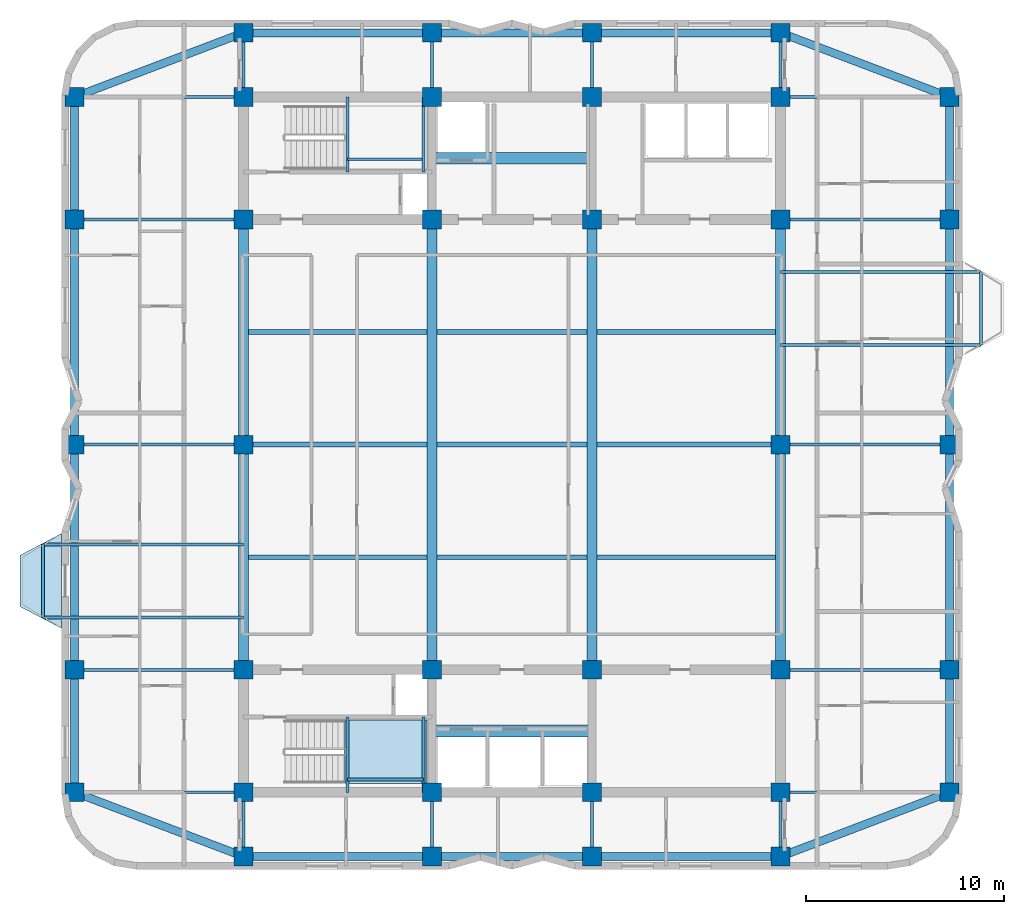
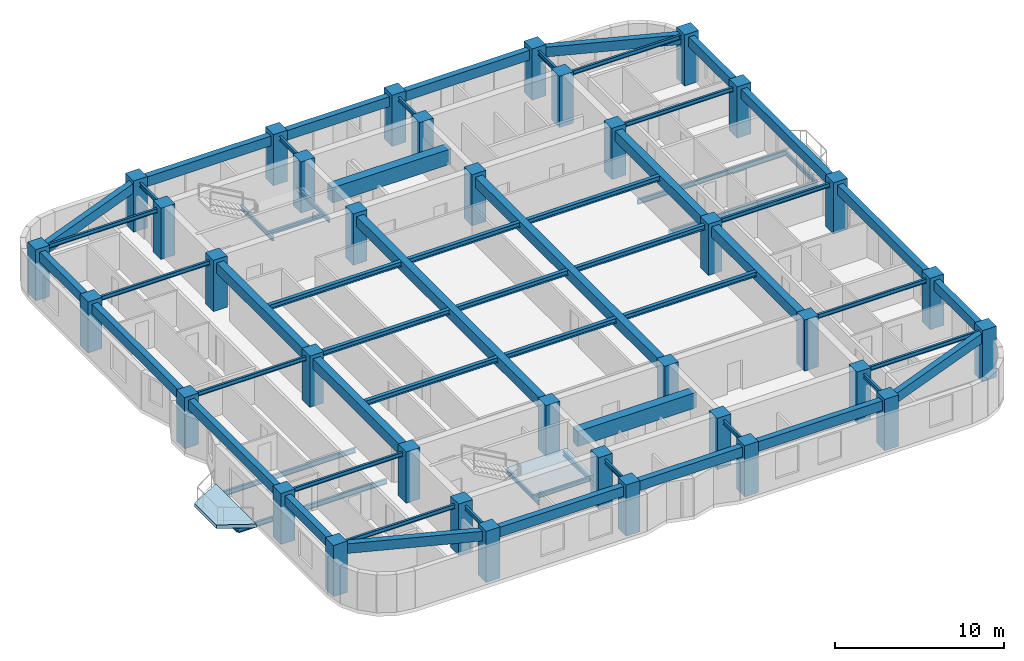
# One storey, part 1 of 9: 65 beams, 36 columns, 2 slabs, 1 element without a shape of its own.
"""IFC4 building model written with IfcOpenShell, lengths in metres."""

from ifc_helpers import new_model, si_unit, direction, frame, origin, origin_2d, place, context, subcontext, project, spatial, polyline, rectangle, i_section, outline, extrude, material, layer, layer_set, material_profile, profile_set, type_object, element, aggregate, save


model = new_model("IFC4")

# Units and contexts
model_context = context("Model", 3, precision=1e-05, world=origin(), true_north=direction((0.0, 1.0)))
body_context = subcontext(model_context, "Body", "Model", "MODEL_VIEW")
ifc_project = project(units=[si_unit("LENGTHUNIT", "METRE"), si_unit("AREAUNIT", "SQUARE_METRE"), si_unit("VOLUMEUNIT", "CUBIC_METRE"), si_unit("PLANEANGLEUNIT", "RADIAN"), si_unit("MASSUNIT", "GRAM", prefix="KILO")], contexts=[model_context])

# Site, building, storey
site_placement = place(None, origin())
site = spatial("IfcSite", under=ifc_project, at=site_placement, CompositionType="ELEMENT")
building_placement = place(site_placement, origin())
building = spatial("IfcBuilding", under=site, at=building_placement, Name="Svetorya Sky Lyceum", CompositionType="ELEMENT")
storey_placement = place(building_placement, frame((0.0, 0.0, 184.800048828125)))
storey = spatial("IfcBuildingStorey", under=building, at=storey_placement, Name="L46", CompositionType="ELEMENT", Elevation=184.800048828125)

# Columns
ifc_material_1 = material(Name="Concrete C50/60", Category="concrete")
ifc_material_profile_1 = material_profile(ifc_material_1, rectangle(XDim=0.949951171875, YDim=0.949951171875, at=origin_2d()), Name="RC COL 950x950")
ifc_profile_set_1 = profile_set([ifc_material_profile_1], Name="Concrete C50/60")
column_type = type_object("IfcColumnType", Name="COL-RC-950", PredefinedType="COLUMN", material=ifc_profile_set_1)
for number, where, z_axis, x_axis, name in (
    (1, (25.60009765625, 10.60009765625, 0.0), (0.0, 0.0, 1.0), (1.0, 0.0, 0.0), "L46 Core Column CS-11"),
    (2, (25.60009765625, 16.800048828125, 0.0), (0.0, 0.0, 1.0), (1.0, 0.0, 0.0), "L46 Core Column CS-12"),
    (3, (35.14990234375, 10.60009765625, 0.0), (0.0, 0.0, 1.0), (1.0, 0.0, 0.0), "L46 Core Column CS-21"),
    (4, (35.14990234375, 16.800048828125, 0.0), (0.0, 0.0, 1.0), (1.0, 0.0, 0.0), "L46 Core Column CS-22"),
    (5, (43.25, 10.60009765625, 0.0), (0.0, 0.0, 1.0), (1.0, 0.0, 0.0), "L46 Core Column CS-31"),
    (6, (43.25, 16.800048828125, 0.0), (0.0, 0.0, 1.0), (1.0, 0.0, 0.0), "L46 Core Column CS-32"),
    (7, (52.800048828125, 10.60009765625, 0.0), (0.0, 0.0, 1.0), (1.0, 0.0, 0.0), "L46 Core Column CS-41"),
    (8, (52.800048828125, 16.800048828125, 0.0), (0.0, 0.0, 1.0), (1.0, 0.0, 0.0), "L46 Core Column CS-42"),
    (9, (25.60009765625, 39.60009765625, 0.0), (0.0, 0.0, 1.0), (1.0, 0.0, 0.0), "L46 Core Column CN-11"),
    (10, (25.60009765625, 45.800048828125, 0.0), (0.0, 0.0, 1.0), (1.0, 0.0, 0.0), "L46 Core Column CN-12"),
    (11, (35.14990234375, 39.60009765625, 0.0), (0.0, 0.0, 1.0), (1.0, 0.0, 0.0), "L46 Core Column CN-21"),
    (12, (35.14990234375, 45.800048828125, 0.0), (0.0, 0.0, 1.0), (1.0, 0.0, 0.0), "L46 Core Column CN-22"),
    (13, (43.25, 39.60009765625, 0.0), (0.0, 0.0, 1.0), (1.0, 0.0, 0.0), "L46 Core Column CN-31"),
    (14, (43.25, 45.800048828125, 0.0), (0.0, 0.0, 1.0), (1.0, 0.0, 0.0), "L46 Core Column CN-32"),
    (15, (52.800048828125, 39.60009765625, 0.0), (0.0, 0.0, 1.0), (1.0, 0.0, 0.0), "L46 Core Column CN-41"),
    (16, (52.800048828125, 45.800048828125, 0.0), (0.0, 0.0, 1.0), (1.0, 0.0, 0.0), "L46 Core Column CN-42"),
    (17, (25.60009765625, 28.199951171875, 0.0), (0.0, 0.0, 1.0), (1.0, 0.0, 0.0), "L46 Core Column CM-W"),
    (18, (52.800048828125, 28.199951171875, 0.0), (0.0, 0.0, 1.0), (1.0, 0.0, 0.0), "L46 Core Column CM-E"),
    (19, (25.60009765625, 7.35009765625, 0.0), (0.0, 0.0, 1.0), (1.0, 0.0, 0.0), "L46 Perimeter Column S1"),
    (20, (25.60009765625, 49.050048828125, 0.0), (0.0, 0.0, 1.0), (1.0, 0.0, 0.0), "L46 Perimeter Column N1"),
    (21, (35.14990234375, 7.35009765625, 0.0), (0.0, 0.0, 1.0), (1.0, 0.0, 0.0), "L46 Perimeter Column S2"),
    (22, (35.14990234375, 49.050048828125, 0.0), (0.0, 0.0, 1.0), (1.0, 0.0, 0.0), "L46 Perimeter Column N2"),
    (23, (43.25, 7.35009765625, 0.0), (0.0, 0.0, 1.0), (1.0, 0.0, 0.0), "L46 Perimeter Column S3"),
    (24, (43.25, 49.050048828125, 0.0), (0.0, 0.0, 1.0), (1.0, 0.0, 0.0), "L46 Perimeter Column N3"),
    (25, (52.800048828125, 7.35009765625, 0.0), (0.0, 0.0, 1.0), (1.0, 0.0, 0.0), "L46 Perimeter Column S4"),
    (26, (52.800048828125, 49.050048828125, 0.0), (0.0, 0.0, 1.0), (1.0, 0.0, 0.0), "L46 Perimeter Column N4"),
    (27, (17.050048828125, 10.60009765625, 0.0), (0.0, 0.0, 1.0), (1.0, 0.0, 0.0), "L46 Perimeter Column W1"),
    (28, (61.35009765625, 10.60009765625, 0.0), (0.0, 0.0, 1.0), (1.0, 0.0, 0.0), "L46 Perimeter Column E1"),
    (29, (17.050048828125, 16.800048828125, 0.0), (0.0, 0.0, 1.0), (1.0, 0.0, 0.0), "L46 Perimeter Column W2"),
    (30, (61.35009765625, 16.800048828125, 0.0), (0.0, 0.0, 1.0), (1.0, 0.0, 0.0), "L46 Perimeter Column E2"),
    (31, (17.050048828125, 28.199951171875, 0.0), (0.0, 0.0, 1.0), (1.0, 0.0, 0.0), "L46 Perimeter Column W3"),
    (32, (61.35009765625, 28.199951171875, 0.0), (0.0, 0.0, 1.0), (1.0, 0.0, 0.0), "L46 Perimeter Column E3"),
    (33, (17.050048828125, 39.60009765625, 0.0), (0.0, 0.0, 1.0), (1.0, 0.0, 0.0), "L46 Perimeter Column W4"),
    (34, (61.35009765625, 39.60009765625, 0.0), (0.0, 0.0, 1.0), (1.0, 0.0, 0.0), "L46 Perimeter Column E4"),
    (35, (17.050048828125, 45.800048828125, 0.0), (0.0, 0.0, 1.0), (1.0, 0.0, 0.0), "L46 Perimeter Column W5"),
    (36, (61.35009765625, 45.800048828125, 0.0), (0.0, 0.0, 1.0), (1.0, 0.0, 0.0), "L46 Perimeter Column E5"),
):
    element("IfcColumn", number, at=place(storey_placement, frame(where, z_axis=z_axis, x_axis=x_axis)), inside=storey, type_object=column_type, Name=name, PredefinedType="COLUMN", context=body_context, shape_type="SweptSolid", body=[
        extrude(rectangle(XDim=0.949951171875, YDim=0.949951171875, at=origin_2d()), origin(), (0.0, 0.0, 1.0), 3.699951171875),
    ])

# Beams
ifc_material_2 = material(Name="Concrete C60/75", Category="concrete")
ifc_material_profile_2 = material_profile(ifc_material_2, rectangle(XDim=0.60009765625, YDim=1.10009765625, at=origin_2d()), Name="RC COUPLING 600x1100")
ifc_profile_set_2 = profile_set([ifc_material_profile_2], Name="Concrete C60/75")
beam_type_1 = type_object("IfcBeamType", Name="BM-CPL-1100", PredefinedType="LINTEL", material=ifc_profile_set_2)
for number, where, z_axis, x_axis, name in (
    (37, (35.14990234375, 13.699951171875, 2.889892578125), (1.0, 0.0, 0.0), (0.0, 1.0, 0.0), "L46 SC Core Coupling Beam"),
    (38, (35.14990234375, 42.699951171875, 2.889892578125), (1.0, 0.0, 0.0), (0.0, 1.0, 0.0), "L46 NC Core Coupling Beam"),
):
    element("IfcBeam", number, at=place(storey_placement, frame(where, z_axis=z_axis, x_axis=x_axis)), inside=storey, type_object=beam_type_1, Name=name, PredefinedType="LINTEL", context=body_context, shape_type="SweptSolid", body=[
        extrude(rectangle(XDim=0.60009765625, YDim=1.10009765625, at=origin_2d()), origin(), (0.0, 0.0, 1.0), 8.10009765625),
    ])
ifc_material_profile_3 = material_profile(ifc_material_1, rectangle(XDim=0.5, YDim=0.75, at=origin_2d()), Name="RC BEAM 500x750")
ifc_profile_set_3 = profile_set([ifc_material_profile_3], Name="Concrete C50/60")
beam_type_2 = type_object("IfcBeamType", Name="BM-RC-750", PredefinedType="BEAM", material=ifc_profile_set_3)
beam_1_placement = place(storey_placement, frame((25.60009765625, 16.800048828125, 3.06494140625), z_axis=(0.0, 1.0, 0.0), x_axis=(-1.0, 0.0, 0.0)))
element("IfcBeam", 39, at=beam_1_placement, inside=storey, type_object=beam_type_2, Name="L46 Central Bay Primary Girder CG-1A", PredefinedType="BEAM", context=body_context, shape_type="SweptSolid", body=[
    extrude(rectangle(XDim=0.5, YDim=0.75, at=origin_2d()), origin(), (0.0, 0.0, 1.0), 11.39990234375),
])
beam_2_placement = place(storey_placement, frame((25.60009765625, 28.199951171875, 3.06494140625), z_axis=(0.0, 1.0, 0.0), x_axis=(-1.0, 0.0, 0.0)))
element("IfcBeam", 40, at=beam_2_placement, inside=storey, type_object=beam_type_2, Name="L46 Central Bay Primary Girder CG-1B", PredefinedType="BEAM", context=body_context, shape_type="SweptSolid", body=[
    extrude(rectangle(XDim=0.5, YDim=0.75, at=origin_2d()), origin(), (0.0, 0.0, 1.0), 11.400146484375),
])
for number, where, z_axis, x_axis, name in (
    (41, (35.14990234375, 16.800048828125, 3.06494140625), (0.0, 1.0, 0.0), (-1.0, 0.0, 0.0), "L46 Central Bay Primary Girder CG-2"),
    (42, (43.25, 16.800048828125, 3.06494140625), (0.0, 1.0, 0.0), (-1.0, 0.0, 0.0), "L46 Central Bay Primary Girder CG-3"),
):
    element("IfcBeam", number, at=place(storey_placement, frame(where, z_axis=z_axis, x_axis=x_axis)), inside=storey, type_object=beam_type_2, Name=name, PredefinedType="BEAM", context=body_context, shape_type="SweptSolid", body=[
        extrude(rectangle(XDim=0.5, YDim=0.75, at=origin_2d()), origin(), (0.0, 0.0, 1.0), 22.800048828125),
    ])
beam_3_placement = place(storey_placement, frame((52.800048828125, 16.800048828125, 3.06494140625), z_axis=(0.0, 1.0, 0.0), x_axis=(-1.0, 0.0, 0.0)))
element("IfcBeam", 43, at=beam_3_placement, inside=storey, type_object=beam_type_2, Name="L46 Central Bay Primary Girder CG-4A", PredefinedType="BEAM", context=body_context, shape_type="SweptSolid", body=[
    extrude(rectangle(XDim=0.5, YDim=0.75, at=origin_2d()), origin(), (0.0, 0.0, 1.0), 11.39990234375),
])
beam_4_placement = place(storey_placement, frame((52.800048828125, 28.199951171875, 3.06494140625), z_axis=(0.0, 1.0, 0.0), x_axis=(-1.0, 0.0, 0.0)))
element("IfcBeam", 44, at=beam_4_placement, inside=storey, type_object=beam_type_2, Name="L46 Central Bay Primary Girder CG-4B", PredefinedType="BEAM", context=body_context, shape_type="SweptSolid", body=[
    extrude(rectangle(XDim=0.5, YDim=0.75, at=origin_2d()), origin(), (0.0, 0.0, 1.0), 11.400146484375),
])
ifc_material_profile_4 = material_profile(ifc_material_1, rectangle(XDim=0.39990234375, YDim=0.699951171875, at=origin_2d()), Name="RC SPANDREL 400x700")
ifc_profile_set_4 = profile_set([ifc_material_profile_4], Name="Concrete C50/60")
beam_type_3 = type_object("IfcBeamType", Name="BM-SPN-700", PredefinedType="SPANDREL", material=ifc_profile_set_4)
beam_5_placement = place(storey_placement, frame((25.60009765625, 7.35009765625, 3.08984375), z_axis=(1.0, 0.0, 0.0), x_axis=(0.0, 1.0, 0.0)))
element("IfcBeam", 45, at=beam_5_placement, inside=storey, type_object=beam_type_3, Name="L46 South Spandrel 1", PredefinedType="SPANDREL", context=body_context, shape_type="SweptSolid", body=[
    extrude(rectangle(XDim=0.39990234375, YDim=0.699951171875, at=origin_2d()), origin(), (0.0, 0.0, 1.0), 9.5498046875),
])
beam_6_placement = place(storey_placement, frame((35.14990234375, 7.35009765625, 3.08984375), z_axis=(1.0, 0.0, 0.0), x_axis=(0.0, 1.0, 0.0)))
element("IfcBeam", 46, at=beam_6_placement, inside=storey, type_object=beam_type_3, Name="L46 South Spandrel 2", PredefinedType="SPANDREL", context=body_context, shape_type="SweptSolid", body=[
    extrude(rectangle(XDim=0.39990234375, YDim=0.699951171875, at=origin_2d()), origin(), (0.0, 0.0, 1.0), 8.10009765625),
])
beam_7_placement = place(storey_placement, frame((43.25, 7.35009765625, 3.08984375), z_axis=(1.0, 0.0, 0.0), x_axis=(0.0, 1.0, 0.0)))
element("IfcBeam", 47, at=beam_7_placement, inside=storey, type_object=beam_type_3, Name="L46 South Spandrel 3", PredefinedType="SPANDREL", context=body_context, shape_type="SweptSolid", body=[
    extrude(rectangle(XDim=0.39990234375, YDim=0.699951171875, at=origin_2d()), origin(), (0.0, 0.0, 1.0), 9.550048828125),
])
beam_8_placement = place(storey_placement, frame((25.60009765625, 49.050048828125, 3.08984375), z_axis=(1.0, 0.0, 0.0), x_axis=(0.0, 1.0, 0.0)))
element("IfcBeam", 48, at=beam_8_placement, inside=storey, type_object=beam_type_3, Name="L46 North Spandrel 1", PredefinedType="SPANDREL", context=body_context, shape_type="SweptSolid", body=[
    extrude(rectangle(XDim=0.39990234375, YDim=0.699951171875, at=origin_2d()), origin(), (0.0, 0.0, 1.0), 9.5498046875),
])
beam_9_placement = place(storey_placement, frame((35.14990234375, 49.050048828125, 3.08984375), z_axis=(1.0, 0.0, 0.0), x_axis=(0.0, 1.0, 0.0)))
element("IfcBeam", 49, at=beam_9_placement, inside=storey, type_object=beam_type_3, Name="L46 North Spandrel 2", PredefinedType="SPANDREL", context=body_context, shape_type="SweptSolid", body=[
    extrude(rectangle(XDim=0.39990234375, YDim=0.699951171875, at=origin_2d()), origin(), (0.0, 0.0, 1.0), 8.10009765625),
])
beam_10_placement = place(storey_placement, frame((43.25, 49.050048828125, 3.08984375), z_axis=(1.0, 0.0, 0.0), x_axis=(0.0, 1.0, 0.0)))
element("IfcBeam", 50, at=beam_10_placement, inside=storey, type_object=beam_type_3, Name="L46 North Spandrel 3", PredefinedType="SPANDREL", context=body_context, shape_type="SweptSolid", body=[
    extrude(rectangle(XDim=0.39990234375, YDim=0.699951171875, at=origin_2d()), origin(), (0.0, 0.0, 1.0), 9.550048828125),
])
for number, where, z_axis, x_axis, name in (
    (51, (25.60009765625, 7.35009765625, 3.08984375), (-0.934747947367, 0.355311518099, 0.0), (-0.355311518099, -0.934747947367, 0.0), "L46 Corner Spandrel 1"),
    (52, (52.800048828125, 7.35009765625, 3.08984375), (0.934747947367, 0.355311518099, 0.0), (-0.355311518099, 0.934747947367, 0.0), "L46 Corner Spandrel 2"),
    (53, (61.35009765625, 45.800048828125, 3.08984375), (-0.934747947367, 0.355311518099, 0.0), (-0.355311518099, -0.934747947367, 0.0), "L46 Corner Spandrel 3"),
    (54, (17.050048828125, 45.800048828125, 3.08984375), (0.934747947367, 0.355311518099, 0.0), (-0.355311518099, 0.934747947367, 0.0), "L46 Corner Spandrel 4"),
):
    element("IfcBeam", number, at=place(storey_placement, frame(where, z_axis=z_axis, x_axis=x_axis)), inside=storey, type_object=beam_type_3, Name=name, PredefinedType="SPANDREL", context=body_context, shape_type="SweptSolid", body=[
        extrude(rectangle(XDim=0.39990234375, YDim=0.699951171875, at=origin_2d()), origin(), (0.0, 0.0, 1.0), 9.14697265625),
    ])
beam_11_placement = place(storey_placement, frame((17.050048828125, 10.60009765625, 3.08984375), z_axis=(0.0, 1.0, 0.0), x_axis=(-1.0, 0.0, 0.0)))
element("IfcBeam", 55, at=beam_11_placement, inside=storey, type_object=beam_type_3, Name="L46 West Spandrel 1", PredefinedType="SPANDREL", context=body_context, shape_type="SweptSolid", body=[
    extrude(rectangle(XDim=0.39990234375, YDim=0.699951171875, at=origin_2d()), origin(), (0.0, 0.0, 1.0), 6.199951171875),
])
beam_12_placement = place(storey_placement, frame((17.050048828125, 16.800048828125, 3.08984375), z_axis=(0.0, 1.0, 0.0), x_axis=(-1.0, 0.0, 0.0)))
element("IfcBeam", 56, at=beam_12_placement, inside=storey, type_object=beam_type_3, Name="L46 West Spandrel 2", PredefinedType="SPANDREL", context=body_context, shape_type="SweptSolid", body=[
    extrude(rectangle(XDim=0.39990234375, YDim=0.699951171875, at=origin_2d()), origin(), (0.0, 0.0, 1.0), 11.39990234375),
])
beam_13_placement = place(storey_placement, frame((17.050048828125, 28.199951171875, 3.08984375), z_axis=(0.0, 1.0, 0.0), x_axis=(-1.0, 0.0, 0.0)))
element("IfcBeam", 57, at=beam_13_placement, inside=storey, type_object=beam_type_3, Name="L46 West Spandrel 3", PredefinedType="SPANDREL", context=body_context, shape_type="SweptSolid", body=[
    extrude(rectangle(XDim=0.39990234375, YDim=0.699951171875, at=origin_2d()), origin(), (0.0, 0.0, 1.0), 11.400146484375),
])
for number, where, z_axis, x_axis, name in (
    (58, (17.050048828125, 39.60009765625, 3.08984375), (0.0, 1.0, 0.0), (-1.0, 0.0, 0.0), "L46 West Spandrel 4"),
    (59, (61.35009765625, 10.60009765625, 3.08984375), (0.0, 1.0, 0.0), (-1.0, 0.0, 0.0), "L46 East Spandrel 1"),
):
    element("IfcBeam", number, at=place(storey_placement, frame(where, z_axis=z_axis, x_axis=x_axis)), inside=storey, type_object=beam_type_3, Name=name, PredefinedType="SPANDREL", context=body_context, shape_type="SweptSolid", body=[
        extrude(rectangle(XDim=0.39990234375, YDim=0.699951171875, at=origin_2d()), origin(), (0.0, 0.0, 1.0), 6.199951171875),
    ])
beam_14_placement = place(storey_placement, frame((61.35009765625, 16.800048828125, 3.08984375), z_axis=(0.0, 1.0, 0.0), x_axis=(-1.0, 0.0, 0.0)))
element("IfcBeam", 60, at=beam_14_placement, inside=storey, type_object=beam_type_3, Name="L46 East Spandrel 2", PredefinedType="SPANDREL", context=body_context, shape_type="SweptSolid", body=[
    extrude(rectangle(XDim=0.39990234375, YDim=0.699951171875, at=origin_2d()), origin(), (0.0, 0.0, 1.0), 11.39990234375),
])
beam_15_placement = place(storey_placement, frame((61.35009765625, 28.199951171875, 3.08984375), z_axis=(0.0, 1.0, 0.0), x_axis=(-1.0, 0.0, 0.0)))
element("IfcBeam", 61, at=beam_15_placement, inside=storey, type_object=beam_type_3, Name="L46 East Spandrel 3", PredefinedType="SPANDREL", context=body_context, shape_type="SweptSolid", body=[
    extrude(rectangle(XDim=0.39990234375, YDim=0.699951171875, at=origin_2d()), origin(), (0.0, 0.0, 1.0), 11.400146484375),
])
beam_16_placement = place(storey_placement, frame((61.35009765625, 39.60009765625, 3.08984375), z_axis=(0.0, 1.0, 0.0), x_axis=(-1.0, 0.0, 0.0)))
element("IfcBeam", 62, at=beam_16_placement, inside=storey, type_object=beam_type_3, Name="L46 East Spandrel 4", PredefinedType="SPANDREL", context=body_context, shape_type="SweptSolid", body=[
    extrude(rectangle(XDim=0.39990234375, YDim=0.699951171875, at=origin_2d()), origin(), (0.0, 0.0, 1.0), 6.199951171875),
])
ifc_material_3 = material(Name="Steel S355", Category="steel")
ifc_material_profile_5 = material_profile(ifc_material_3, i_section(OverallWidth=0.14990234375, OverallDepth=0.299072265625, WebThickness=0.006591796875, FlangeThickness=0.010498046875, at=origin_2d()), Name="GOST 30B2")
ifc_profile_set_5 = profile_set([ifc_material_profile_5], Name="Steel S355")
beam_type_4 = type_object("IfcBeamType", Name="BM-STL-30B2", PredefinedType="JOIST", material=ifc_profile_set_5)
for number, where, z_axis, x_axis, name in (
    (63, (15.449951171875, 19.449951171875, -0.4345703125), (0.0, 1.0, 0.0), (-1.0, 0.0, 0.0), "L46 Balcony Edge Tie BAL-W1"),
    (64, (62.949951171875, 33.25, -0.4345703125), (0.0, 1.0, 0.0), (-1.0, 0.0, 0.0), "L46 Balcony Edge Tie BAL-E1"),
):
    element("IfcBeam", number, at=place(storey_placement, frame(where, z_axis=z_axis, x_axis=x_axis)), inside=storey, type_object=beam_type_4, Name=name, PredefinedType="JOIST", context=body_context, shape_type="SweptSolid", body=[
        extrude(i_section(OverallWidth=0.14990234375, OverallDepth=0.299072265625, WebThickness=0.006591796875, FlangeThickness=0.010498046875, at=origin_2d()), origin(), (0.0, 0.0, 1.0), 3.699951171875),
    ])
for number, where, z_axis, x_axis, name in (
    (65, (17.050048828125, 10.60009765625, 3.29052734375), (1.0, 0.0, 0.0), (0.0, 1.0, 0.0), "L46 West Wing Floor Joist W1"),
    (66, (52.800048828125, 10.60009765625, 3.29052734375), (1.0, 0.0, 0.0), (0.0, 1.0, 0.0), "L46 East Wing Floor Joist E1"),
    (67, (17.050048828125, 16.800048828125, 3.29052734375), (1.0, 0.0, 0.0), (0.0, 1.0, 0.0), "L46 West Wing Floor Joist W2"),
    (68, (52.800048828125, 16.800048828125, 3.29052734375), (1.0, 0.0, 0.0), (0.0, 1.0, 0.0), "L46 East Wing Floor Joist E2"),
    (69, (17.050048828125, 28.199951171875, 3.29052734375), (1.0, 0.0, 0.0), (0.0, 1.0, 0.0), "L46 West Wing Floor Joist W3"),
    (70, (52.800048828125, 28.199951171875, 3.29052734375), (1.0, 0.0, 0.0), (0.0, 1.0, 0.0), "L46 East Wing Floor Joist E3"),
    (71, (17.050048828125, 39.60009765625, 3.29052734375), (1.0, 0.0, 0.0), (0.0, 1.0, 0.0), "L46 West Wing Floor Joist W4"),
    (72, (52.800048828125, 39.60009765625, 3.29052734375), (1.0, 0.0, 0.0), (0.0, 1.0, 0.0), "L46 East Wing Floor Joist E4"),
    (73, (17.050048828125, 45.800048828125, 3.29052734375), (1.0, 0.0, 0.0), (0.0, 1.0, 0.0), "L46 West Wing Floor Joist W5"),
    (74, (52.800048828125, 45.800048828125, 3.29052734375), (1.0, 0.0, 0.0), (0.0, 1.0, 0.0), "L46 East Wing Floor Joist E5"),
):
    element("IfcBeam", number, at=place(storey_placement, frame(where, z_axis=z_axis, x_axis=x_axis)), inside=storey, type_object=beam_type_4, Name=name, PredefinedType="JOIST", context=body_context, shape_type="SweptSolid", body=[
        extrude(i_section(OverallWidth=0.14990234375, OverallDepth=0.299072265625, WebThickness=0.006591796875, FlangeThickness=0.010498046875, at=origin_2d()), origin(), (0.0, 0.0, 1.0), 8.550048828125),
    ])
for number, where, z_axis, x_axis, name in (
    (75, (25.60009765625, 7.35009765625, 3.29052734375), (0.0, 1.0, 0.0), (-1.0, 0.0, 0.0), "L46 South Bay Floor Girder S1"),
    (76, (25.60009765625, 45.800048828125, 3.29052734375), (0.0, 1.0, 0.0), (-1.0, 0.0, 0.0), "L46 North Bay Floor Girder N1"),
    (77, (35.14990234375, 7.35009765625, 3.29052734375), (0.0, 1.0, 0.0), (-1.0, 0.0, 0.0), "L46 South Bay Floor Girder S2"),
    (78, (35.14990234375, 45.800048828125, 3.29052734375), (0.0, 1.0, 0.0), (-1.0, 0.0, 0.0), "L46 North Bay Floor Girder N2"),
    (79, (43.25, 7.35009765625, 3.29052734375), (0.0, 1.0, 0.0), (-1.0, 0.0, 0.0), "L46 South Bay Floor Girder S3"),
    (80, (43.25, 45.800048828125, 3.29052734375), (0.0, 1.0, 0.0), (-1.0, 0.0, 0.0), "L46 North Bay Floor Girder N3"),
    (81, (52.800048828125, 7.35009765625, 3.29052734375), (0.0, 1.0, 0.0), (-1.0, 0.0, 0.0), "L46 South Bay Floor Girder S4"),
    (82, (52.800048828125, 45.800048828125, 3.29052734375), (0.0, 1.0, 0.0), (-1.0, 0.0, 0.0), "L46 North Bay Floor Girder N4"),
):
    element("IfcBeam", number, at=place(storey_placement, frame(where, z_axis=z_axis, x_axis=x_axis)), inside=storey, type_object=beam_type_4, Name=name, PredefinedType="JOIST", context=body_context, shape_type="SweptSolid", body=[
        extrude(i_section(OverallWidth=0.14990234375, OverallDepth=0.299072265625, WebThickness=0.006591796875, FlangeThickness=0.010498046875, at=origin_2d()), origin(), (0.0, 0.0, 1.0), 3.25),
    ])
for number, where, z_axis, x_axis, name in (
    (83, (30.8798828125, 10.60009765625, 1.50048828125), (0.0, 1.0, 0.0), (-1.0, 0.0, 0.0), "L46 Stair ST-S Half-Landing Support Beam 52.1"),
    (84, (34.719970703125, 10.60009765625, 1.50048828125), (0.0, 1.0, 0.0), (-1.0, 0.0, 0.0), "L46 Stair ST-S Half-Landing Support Beam 52.2"),
):
    element("IfcBeam", number, at=place(storey_placement, frame(where, z_axis=z_axis, x_axis=x_axis)), inside=storey, type_object=beam_type_4, Name=name, PredefinedType="JOIST", context=body_context, shape_type="SweptSolid", body=[
        extrude(i_section(OverallWidth=0.14990234375, OverallDepth=0.299072265625, WebThickness=0.006591796875, FlangeThickness=0.010498046875, at=origin_2d()), origin(), (0.0, 0.0, 1.0), 3.7998046875),
    ])
beam_17_placement = place(storey_placement, frame((30.8798828125, 11.25, 1.50048828125), z_axis=(1.0, 0.0, 0.0), x_axis=(0.0, 1.0, 0.0)))
element("IfcBeam", 85, at=beam_17_placement, inside=storey, type_object=beam_type_4, Name="L46 Stair ST-S Half-Landing Cross Tie 52", PredefinedType="JOIST", context=body_context, shape_type="SweptSolid", body=[
    extrude(i_section(OverallWidth=0.14990234375, OverallDepth=0.299072265625, WebThickness=0.006591796875, FlangeThickness=0.010498046875, at=origin_2d()), origin(), (0.0, 0.0, 1.0), 3.840087890625),
])
for number, where, z_axis, x_axis, name in (
    (86, (30.8798828125, 42.0, 1.50048828125), (0.0, 1.0, 0.0), (-1.0, 0.0, 0.0), "L46 Stair ST-N Half-Landing Support Beam 52.1"),
    (87, (34.719970703125, 42.0, 1.50048828125), (0.0, 1.0, 0.0), (-1.0, 0.0, 0.0), "L46 Stair ST-N Half-Landing Support Beam 52.2"),
):
    element("IfcBeam", number, at=place(storey_placement, frame(where, z_axis=z_axis, x_axis=x_axis)), inside=storey, type_object=beam_type_4, Name=name, PredefinedType="JOIST", context=body_context, shape_type="SweptSolid", body=[
        extrude(i_section(OverallWidth=0.14990234375, OverallDepth=0.299072265625, WebThickness=0.006591796875, FlangeThickness=0.010498046875, at=origin_2d()), origin(), (0.0, 0.0, 1.0), 3.800048828125),
    ])
beam_18_placement = place(storey_placement, frame((30.8798828125, 42.64990234375, 1.50048828125), z_axis=(1.0, 0.0, 0.0), x_axis=(0.0, 1.0, 0.0)))
element("IfcBeam", 88, at=beam_18_placement, inside=storey, type_object=beam_type_4, Name="L46 Stair ST-N Half-Landing Cross Tie 52", PredefinedType="JOIST", context=body_context, shape_type="SweptSolid", body=[
    extrude(i_section(OverallWidth=0.14990234375, OverallDepth=0.299072265625, WebThickness=0.006591796875, FlangeThickness=0.010498046875, at=origin_2d()), origin(), (0.0, 0.0, 1.0), 3.840087890625),
])
ifc_material_profile_6 = material_profile(ifc_material_3, i_section(OverallWidth=0.155029296875, OverallDepth=0.34912109375, WebThickness=0.007080078125, FlangeThickness=0.011474609375, at=origin_2d()), Name="GOST 35B2")
ifc_profile_set_6 = profile_set([ifc_material_profile_6], Name="Steel S355")
beam_type_5 = type_object("IfcBeamType", Name="BM-STL-35B2", PredefinedType="JOIST", material=ifc_profile_set_6)
for number, where, z_axis, x_axis, name in (
    (89, (25.60009765625, 19.449951171875, -0.4345703125), (-1.0, 0.0, 0.0), (0.0, -1.0, 0.0), "L46 Balcony Cantilever Beam BAL-W1-1"),
    (90, (25.60009765625, 23.14990234375, -0.4345703125), (-1.0, 0.0, 0.0), (0.0, -1.0, 0.0), "L46 Balcony Cantilever Beam BAL-W1-2"),
):
    element("IfcBeam", number, at=place(storey_placement, frame(where, z_axis=z_axis, x_axis=x_axis)), inside=storey, type_object=beam_type_5, Name=name, PredefinedType="JOIST", context=body_context, shape_type="SweptSolid", body=[
        extrude(i_section(OverallWidth=0.155029296875, OverallDepth=0.34912109375, WebThickness=0.007080078125, FlangeThickness=0.011474609375, at=origin_2d()), origin(), (0.0, 0.0, 1.0), 10.150146484375),
    ])
for number, where, z_axis, x_axis, name in (
    (91, (52.800048828125, 33.25, -0.4345703125), (1.0, 0.0, 0.0), (0.0, 1.0, 0.0), "L46 Balcony Cantilever Beam BAL-E1-1"),
    (92, (52.800048828125, 36.949951171875, -0.4345703125), (1.0, 0.0, 0.0), (0.0, 1.0, 0.0), "L46 Balcony Cantilever Beam BAL-E1-2"),
):
    element("IfcBeam", number, at=place(storey_placement, frame(where, z_axis=z_axis, x_axis=x_axis)), inside=storey, type_object=beam_type_5, Name=name, PredefinedType="JOIST", context=body_context, shape_type="SweptSolid", body=[
        extrude(i_section(OverallWidth=0.155029296875, OverallDepth=0.34912109375, WebThickness=0.007080078125, FlangeThickness=0.011474609375, at=origin_2d()), origin(), (0.0, 0.0, 1.0), 10.14990234375),
    ])
ifc_material_profile_7 = material_profile(ifc_material_3, i_section(OverallWidth=0.25, OverallDepth=0.345947265625, WebThickness=0.009521484375, FlangeThickness=0.014404296875, at=origin_2d()), Name="GOST 35Sh2")
ifc_profile_set_7 = profile_set([ifc_material_profile_7], Name="Steel S355")
beam_type_6 = type_object("IfcBeamType", Name="BM-STL-35SH2", PredefinedType="BEAM", material=ifc_profile_set_7)
beam_19_placement = place(storey_placement, frame((25.85009765625, 22.5, 3.266845703125), z_axis=(1.0, 0.0, 0.0), x_axis=(0.0, 1.0, 0.0)))
element("IfcBeam", 93, at=beam_19_placement, inside=storey, type_object=beam_type_6, Name="L46 Central Floor Joist CJ-1.1", PredefinedType="BEAM", context=body_context, shape_type="SweptSolid", body=[
    extrude(i_section(OverallWidth=0.25, OverallDepth=0.345947265625, WebThickness=0.009521484375, FlangeThickness=0.014404296875, at=origin_2d()), origin(), (0.0, 0.0, 1.0), 9.0498046875),
])
beam_20_placement = place(storey_placement, frame((35.39990234375, 22.5, 3.266845703125), z_axis=(1.0, 0.0, 0.0), x_axis=(0.0, 1.0, 0.0)))
element("IfcBeam", 94, at=beam_20_placement, inside=storey, type_object=beam_type_6, Name="L46 Central Floor Joist CJ-1.2", PredefinedType="BEAM", context=body_context, shape_type="SweptSolid", body=[
    extrude(i_section(OverallWidth=0.25, OverallDepth=0.345947265625, WebThickness=0.009521484375, FlangeThickness=0.014404296875, at=origin_2d()), origin(), (0.0, 0.0, 1.0), 7.60009765625),
])
beam_21_placement = place(storey_placement, frame((43.5, 22.5, 3.266845703125), z_axis=(1.0, 0.0, 0.0), x_axis=(0.0, 1.0, 0.0)))
element("IfcBeam", 95, at=beam_21_placement, inside=storey, type_object=beam_type_6, Name="L46 Central Floor Joist CJ-1.3", PredefinedType="BEAM", context=body_context, shape_type="SweptSolid", body=[
    extrude(i_section(OverallWidth=0.25, OverallDepth=0.345947265625, WebThickness=0.009521484375, FlangeThickness=0.014404296875, at=origin_2d()), origin(), (0.0, 0.0, 1.0), 9.050048828125),
])
beam_22_placement = place(storey_placement, frame((25.85009765625, 28.199951171875, 3.266845703125), z_axis=(1.0, 0.0, 0.0), x_axis=(0.0, 1.0, 0.0)))
element("IfcBeam", 96, at=beam_22_placement, inside=storey, type_object=beam_type_6, Name="L46 Central Floor Joist CJ-2.1", PredefinedType="BEAM", context=body_context, shape_type="SweptSolid", body=[
    extrude(i_section(OverallWidth=0.25, OverallDepth=0.345947265625, WebThickness=0.009521484375, FlangeThickness=0.014404296875, at=origin_2d()), origin(), (0.0, 0.0, 1.0), 9.0498046875),
])
beam_23_placement = place(storey_placement, frame((35.39990234375, 28.199951171875, 3.266845703125), z_axis=(1.0, 0.0, 0.0), x_axis=(0.0, 1.0, 0.0)))
element("IfcBeam", 97, at=beam_23_placement, inside=storey, type_object=beam_type_6, Name="L46 Central Floor Joist CJ-2.2", PredefinedType="BEAM", context=body_context, shape_type="SweptSolid", body=[
    extrude(i_section(OverallWidth=0.25, OverallDepth=0.345947265625, WebThickness=0.009521484375, FlangeThickness=0.014404296875, at=origin_2d()), origin(), (0.0, 0.0, 1.0), 7.60009765625),
])
beam_24_placement = place(storey_placement, frame((43.5, 28.199951171875, 3.266845703125), z_axis=(1.0, 0.0, 0.0), x_axis=(0.0, 1.0, 0.0)))
element("IfcBeam", 98, at=beam_24_placement, inside=storey, type_object=beam_type_6, Name="L46 Central Floor Joist CJ-2.3", PredefinedType="BEAM", context=body_context, shape_type="SweptSolid", body=[
    extrude(i_section(OverallWidth=0.25, OverallDepth=0.345947265625, WebThickness=0.009521484375, FlangeThickness=0.014404296875, at=origin_2d()), origin(), (0.0, 0.0, 1.0), 9.050048828125),
])
beam_25_placement = place(storey_placement, frame((25.85009765625, 33.89990234375, 3.266845703125), z_axis=(1.0, 0.0, 0.0), x_axis=(0.0, 1.0, 0.0)))
element("IfcBeam", 99, at=beam_25_placement, inside=storey, type_object=beam_type_6, Name="L46 Central Floor Joist CJ-3.1", PredefinedType="BEAM", context=body_context, shape_type="SweptSolid", body=[
    extrude(i_section(OverallWidth=0.25, OverallDepth=0.345947265625, WebThickness=0.009521484375, FlangeThickness=0.014404296875, at=origin_2d()), origin(), (0.0, 0.0, 1.0), 9.0498046875),
])
beam_26_placement = place(storey_placement, frame((35.39990234375, 33.89990234375, 3.266845703125), z_axis=(1.0, 0.0, 0.0), x_axis=(0.0, 1.0, 0.0)))
element("IfcBeam", 100, at=beam_26_placement, inside=storey, type_object=beam_type_6, Name="L46 Central Floor Joist CJ-3.2", PredefinedType="BEAM", context=body_context, shape_type="SweptSolid", body=[
    extrude(i_section(OverallWidth=0.25, OverallDepth=0.345947265625, WebThickness=0.009521484375, FlangeThickness=0.014404296875, at=origin_2d()), origin(), (0.0, 0.0, 1.0), 7.60009765625),
])
beam_27_placement = place(storey_placement, frame((43.5, 33.89990234375, 3.266845703125), z_axis=(1.0, 0.0, 0.0), x_axis=(0.0, 1.0, 0.0)))
element("IfcBeam", 101, at=beam_27_placement, inside=storey, type_object=beam_type_6, Name="L46 Central Floor Joist CJ-3.3", PredefinedType="BEAM", context=body_context, shape_type="SweptSolid", body=[
    extrude(i_section(OverallWidth=0.25, OverallDepth=0.345947265625, WebThickness=0.009521484375, FlangeThickness=0.014404296875, at=origin_2d()), origin(), (0.0, 0.0, 1.0), 9.050048828125),
])

# Slab
ifc_material_4 = material(Name="Concrete C40/50", Category="concrete")
ifc_layer_1 = layer(ifc_material_4, 0.260009765625)
ifc_layer_set_1 = layer_set([ifc_layer_1], Name="Concrete C40/50")
slab_type_1 = type_object("IfcSlabType", Name="SL-BAL-260", PredefinedType="FLOOR", material=ifc_layer_set_1)
slab_1_placement = place(storey_placement, frame((0.0, 0.0, -0.260009765625)))
element("IfcSlab", 102, at=slab_1_placement, inside=storey, type_object=slab_type_1, Name="L46 Chamfered Loggia Balcony BAL-W1", PredefinedType="FLOOR", context=body_context, shape_type="SweptSolid", body=[
    extrude(outline(polyline([(16.389892578125, 18.89990234375), (16.389892578125, 23.699951171875), (14.2900390625, 22.60009765625), (14.2900390625, 20.0), (16.389892578125, 18.89990234375)])), origin(), (0.0, 0.0, 1.0), 0.260009765625),
])

# Stair, slab
stair_type = type_object("IfcStairType", Name="STR-ST-S", PredefinedType="HALF_TURN_STAIR", material=ifc_material_4)
stair_placement = place(storey_placement, origin())
stair = element("IfcStair", 103, at=stair_placement, inside=storey, type_object=stair_type, Name="L46 South Core Smoke-Free Exit Stair N2", PredefinedType="HALF_TURN_STAIR")
ifc_layer_2 = layer(ifc_material_4, 0.199951171875)
ifc_layer_set_2 = layer_set([ifc_layer_2], Name="Concrete C40/50")
slab_type_2 = type_object("IfcSlabType", Name="SL-STR-LAND-200", PredefinedType="LANDING", material=ifc_layer_set_2)
slab_2_placement = place(storey_placement, frame((0.0, 0.0, 1.64990234375)))
slab_2 = element("IfcSlab", 104, at=slab_2_placement, type_object=slab_type_2, Name="ST-S landing 1", PredefinedType="LANDING", context=body_context, shape_type="SweptSolid", body=[
    extrude(outline(polyline([(30.699951171875, 11.050048828125), (34.89990234375, 11.050048828125), (34.89990234375, 14.25), (30.699951171875, 14.25), (30.699951171875, 11.050048828125)])), origin(), (0.0, 0.0, 1.0), 0.199951171875),
])
aggregate(stair, [slab_2])

save(model, "model.ifc")
